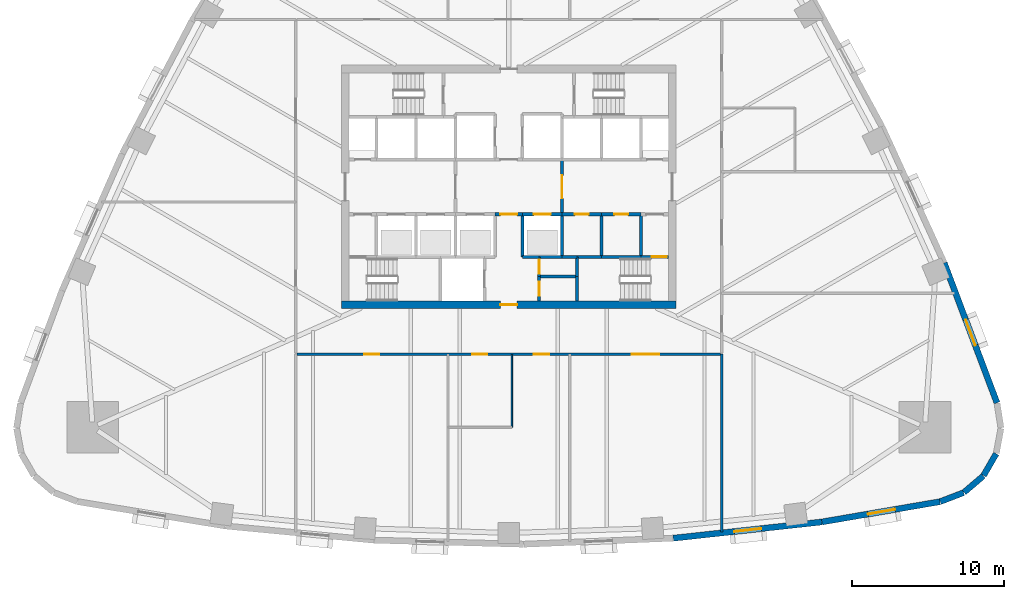
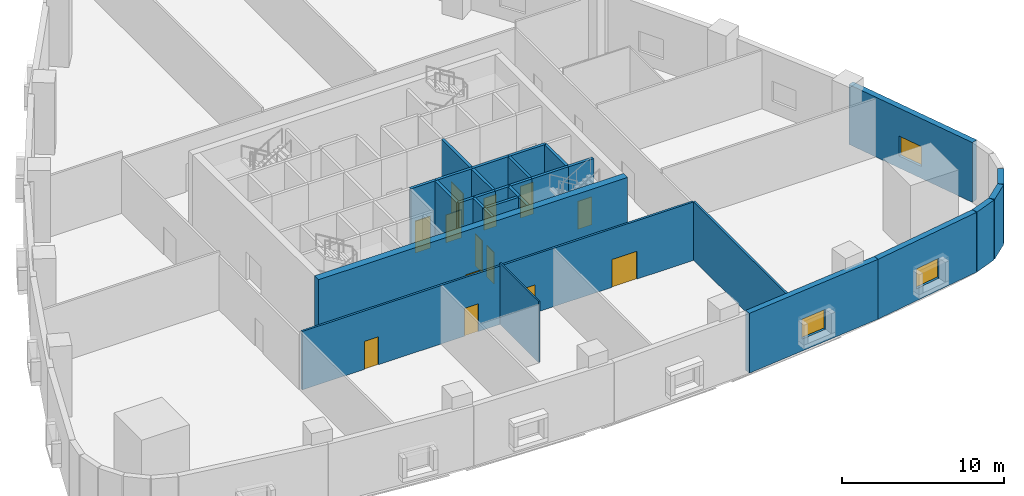
# One storey, part 4 of 11: 30 walls, 13 doors, 3 windows, 16 openings.
"""IFC4 building model written with IfcOpenShell, lengths in metres."""

from ifc_helpers import new_model, si_unit, direction, frame, frame_2d, origin, place, context, subcontext, project, spatial, rectangle, extrude, material, layer, layer_set, type_object, element, fill, save


model = new_model("IFC4")

# Units and contexts
model_context = context("Model", 3, precision=1e-05, world=origin(), true_north=direction((0.0, 1.0)))
body_context = subcontext(model_context, "Body", "Model", "MODEL_VIEW")
ifc_project = project(units=[si_unit("LENGTHUNIT", "METRE"), si_unit("AREAUNIT", "SQUARE_METRE"), si_unit("VOLUMEUNIT", "CUBIC_METRE"), si_unit("PLANEANGLEUNIT", "RADIAN"), si_unit("MASSUNIT", "GRAM", prefix="KILO")], contexts=[model_context])

# Site, building, storey
site_placement = place(None, origin())
site = spatial("IfcSite", under=ifc_project, at=site_placement, CompositionType="ELEMENT")
building_placement = place(site_placement, origin())
building = spatial("IfcBuilding", under=site, at=building_placement, Name="Sierra Prisma Convention Tower", CompositionType="ELEMENT")
storey_placement = place(building_placement, frame((0.0, 0.0, 28.800048828125)))
storey = spatial("IfcBuildingStorey", under=building, at=storey_placement, Name="L04", CompositionType="ELEMENT", Elevation=28.800048828125)

# Wall
ifc_material_1 = material(Name="Gypsum board partition", Category="gypsum")
ifc_layer_1 = layer(ifc_material_1, 0.10009765625)
ifc_layer_set_1 = layer_set([ifc_layer_1], Name="Bathroom partition 100")
wall_type_1 = type_object("IfcWallType", Name="Bathroom partition 100", PredefinedType="PARTITIONING", material=ifc_layer_set_1)
wall_1_placement = place(storey_placement, frame((0.199951171875, -11.030029296875, 0.0), z_axis=(0.0, 0.0, 1.0), x_axis=(0.0, -1.0, 0.0)))
element("IfcWall", 1, at=wall_1_placement, inside=storey, type_object=wall_type_1, Name="Partition L04 bath 1", PredefinedType="PARTITIONING", context=body_context, shape_type="SweptSolid", body=[
    extrude(rectangle(XDim=4.77001953125, YDim=0.10009765625, at=frame_2d((2.385009765625, 0.0))), origin(), (0.0, 0.0, 1.0), 4.599853515625),
])

# Wall, opening, door
ifc_material_2 = material(Name="Concrete C30/37", Category="concrete")
ifc_layer_2 = layer(ifc_material_2, 0.199951171875)
ifc_layer_set_2 = layer_set([ifc_layer_2], Name="Core wall RC 200 C30/37")
wall_type_2 = type_object("IfcWallType", Name="Core wall RC 200 C30/37", PredefinedType="SOLIDWALL", material=ifc_layer_set_2)
wall_2_placement = place(storey_placement, frame((-0.89990234375, -1.800048828125, 0.0), z_axis=(0.0, 0.0, 1.0), x_axis=(1.0, 0.0, 0.0)))
wall_2 = element("IfcWall", 2, at=wall_2_placement, inside=storey, type_object=wall_type_2, Name="Core wall L04 33", PredefinedType="SOLIDWALL", context=body_context, shape_type="SweptSolid", body=[
    extrude(rectangle(XDim=1.7998046875, YDim=0.199951171875, at=frame_2d((0.89990234375, 0.0))), origin(), (0.0, 0.0, 1.0), 5.0),
])
opening_1_placement = place(wall_2_placement, frame((0.35009765625, 0.0, 0.0)))
opening_1 = element("IfcOpeningElement", 3, at=opening_1_placement, cuts=wall_2, Name="Opening L04-D013", PredefinedType="OPENING", context=body_context, shape_type="SweptSolid", body=[
    extrude(rectangle(XDim=1.10009765625, YDim=2.39990234375, at=frame_2d((0.550048828125, 1.199951171875))), frame((0.0, 0.10009765625, 0.0), z_axis=(0.0, -1.0, 0.0), x_axis=(1.0, 0.0, 0.0)), (0.0, 0.0, 1.0), 0.199951171875),
])
ifc_material_3 = material(Name="Steel fire door leaf", Category="steel")
door_type_1 = type_object("IfcDoorType", Name="Door 1100x2400 FD30S", OperationType="SINGLE_SWING_LEFT", PredefinedType="DOOR", material=ifc_material_3)
door_1_placement = place(opening_1_placement, origin())
door_1 = element("IfcDoor", 4, at=door_1_placement, inside=storey, type_object=door_type_1, Name="Door L04 26", OperationType="SINGLE_SWING_RIGHT", OverallHeight=2.39990234375, OverallWidth=1.10009765625, PredefinedType="DOOR", context=body_context, shape_type="SweptSolid", body=[
    extrude(rectangle(XDim=1.10009765625, YDim=2.39990234375, at=frame_2d((0.550048828125, 1.199951171875))), frame((0.0, 0.02490234375, 0.0), z_axis=(0.0, -1.0, 0.0), x_axis=(1.0, 0.0, 0.0)), (0.0, 0.0, 1.0), 0.050048828125),
])
fill(opening_1, door_1)

wall_3_placement = place(storey_placement, frame((0.89990234375, -1.800048828125, 0.0), z_axis=(0.0, 0.0, 1.0), x_axis=(1.0, 0.0, 0.0)))
wall_3 = element("IfcWall", 5, at=wall_3_placement, inside=storey, type_object=wall_type_2, Name="Core wall L04 35", PredefinedType="SOLIDWALL", context=body_context, shape_type="SweptSolid", body=[
    extrude(rectangle(XDim=2.60009765625, YDim=0.199951171875, at=frame_2d((1.300048828125, 0.0))), origin(), (0.0, 0.0, 1.0), 5.0),
])
opening_2_placement = place(wall_3_placement, frame((0.75, 0.0, 0.0)))
opening_2 = element("IfcOpeningElement", 6, at=opening_2_placement, cuts=wall_3, Name="Opening L04-D004", PredefinedType="OPENING", context=body_context, shape_type="SweptSolid", body=[
    extrude(rectangle(XDim=1.10009765625, YDim=2.10009765625, at=frame_2d((0.550048828125, 1.050048828125))), frame((0.0, 0.10009765625, 0.0), z_axis=(0.0, -1.0, 0.0), x_axis=(1.0, 0.0, 0.0)), (0.0, 0.0, 1.0), 0.199951171875),
])
ifc_material_4 = material(Name="Steel fire door leaf", Category="steel")
door_type_2 = type_object("IfcDoorType", Name="Door 1100x2100 EI 90 sliding lift landing", OperationType="SLIDING_TO_LEFT", PredefinedType="DOOR", material=ifc_material_4)
door_2_placement = place(opening_2_placement, origin())
door_2 = element("IfcDoor", 7, at=door_2_placement, inside=storey, type_object=door_type_2, Name="Door L04 17", OperationType="SLIDING_TO_LEFT", OverallHeight=2.10009765625, OverallWidth=1.10009765625, PredefinedType="DOOR", context=body_context, shape_type="SweptSolid", body=[
    extrude(rectangle(XDim=1.10009765625, YDim=2.10009765625, at=frame_2d((0.550048828125, 1.050048828125))), frame((0.0, 0.02490234375, 0.0), z_axis=(0.0, -1.0, 0.0), x_axis=(1.0, 0.0, 0.0)), (0.0, 0.0, 1.0), 0.050048828125),
])
fill(opening_2, door_2)

# Walls
wall_4_placement = place(storey_placement, frame((0.89990234375, -1.800048828125, 0.0), z_axis=(0.0, 0.0, 1.0), x_axis=(0.0, -1.0, 0.0)))
element("IfcWall", 8, at=wall_4_placement, inside=storey, type_object=wall_type_2, Name="Core wall L04 36", PredefinedType="SOLIDWALL", context=body_context, shape_type="SweptSolid", body=[
    extrude(rectangle(XDim=2.800048828125, YDim=0.199951171875, at=frame_2d((1.39990234375, 0.0))), origin(), (0.0, 0.0, 1.0), 5.0),
])
wall_5_placement = place(storey_placement, frame((0.89990234375, -4.60009765625, 0.0), z_axis=(0.0, 0.0, 1.0), x_axis=(1.0, 0.0, 0.0)))
element("IfcWall", 9, at=wall_5_placement, inside=storey, type_object=wall_type_2, Name="Core wall L04 37", PredefinedType="SOLIDWALL", context=body_context, shape_type="SweptSolid", body=[
    extrude(rectangle(XDim=1.10009765625, YDim=0.199951171875, at=frame_2d((0.550048828125, 0.0))), origin(), (0.0, 0.0, 1.0), 5.0),
])

# Wall, opening, door
wall_6_placement = place(storey_placement, frame((2.0, -5.89990234375, 0.0), z_axis=(0.0, 0.0, 1.0), x_axis=(0.0, -1.0, 0.0)))
wall_6 = element("IfcWall", 10, at=wall_6_placement, inside=storey, type_object=wall_type_2, Name="Core wall L04 42", PredefinedType="SOLIDWALL", context=body_context, shape_type="SweptSolid", body=[
    extrude(rectangle(XDim=1.60009765625, YDim=0.199951171875, at=frame_2d((0.800048828125, 0.0))), origin(), (0.0, 0.0, 1.0), 5.0),
])
opening_3_placement = place(wall_6_placement, frame((0.35009765625, 0.0, 0.0)))
opening_3 = element("IfcOpeningElement", 11, at=opening_3_placement, cuts=wall_6, Name="Opening L04-D022", PredefinedType="OPENING", context=body_context, shape_type="SweptSolid", body=[
    extrude(rectangle(XDim=0.89990234375, YDim=2.39990234375, at=frame_2d((0.449951171875, 1.199951171875))), frame((0.0, 0.10009765625, 0.0), z_axis=(0.0, -1.0, 0.0), x_axis=(1.0, 0.0, 0.0)), (0.0, 0.0, 1.0), 0.199951171875),
])
ifc_material_5 = material(Name="Steel fire door leaf", Category="steel")
door_type_3 = type_object("IfcDoorType", Name="Door 900x2400 FD30S", OperationType="SINGLE_SWING_LEFT", PredefinedType="DOOR", material=ifc_material_5)
door_3_placement = place(opening_3_placement, origin())
door_3 = element("IfcDoor", 12, at=door_3_placement, inside=storey, type_object=door_type_3, Name="Door L04 35", OperationType="SINGLE_SWING_LEFT", OverallHeight=2.39990234375, OverallWidth=0.89990234375, PredefinedType="DOOR", context=body_context, shape_type="SweptSolid", body=[
    extrude(rectangle(XDim=0.89990234375, YDim=2.39990234375, at=frame_2d((0.449951171875, 1.199951171875))), frame((0.0, 0.02490234375, 0.0), z_axis=(0.0, -1.0, 0.0), x_axis=(1.0, 0.0, 0.0)), (0.0, 0.0, 1.0), 0.050048828125),
])
fill(opening_3, door_3)

# Wall
wall_7_placement = place(storey_placement, frame((4.5, -5.89990234375, 0.0), z_axis=(0.0, 0.0, 1.0), x_axis=(-1.0, 0.0, 0.0)))
element("IfcWall", 13, at=wall_7_placement, inside=storey, type_object=wall_type_2, Name="Core wall L04 43", PredefinedType="SOLIDWALL", context=body_context, shape_type="SweptSolid", body=[
    extrude(rectangle(XDim=2.5, YDim=0.199951171875, at=frame_2d((1.25, 0.0))), origin(), (0.0, 0.0, 1.0), 5.0),
])

# Wall, opening, door
wall_8_placement = place(storey_placement, frame((2.0, -4.60009765625, 0.0), z_axis=(0.0, 0.0, 1.0), x_axis=(0.0, -1.0, 0.0)))
wall_8 = element("IfcWall", 14, at=wall_8_placement, inside=storey, type_object=wall_type_2, Name="Core wall L04 44", PredefinedType="SOLIDWALL", context=body_context, shape_type="SweptSolid", body=[
    extrude(rectangle(XDim=1.2998046875, YDim=0.199951171875, at=frame_2d((0.64990234375, 0.0))), origin(), (0.0, 0.0, 1.0), 5.0),
])
opening_4_placement = place(wall_8_placement, frame((0.199951171875, 0.0, 0.0)))
opening_4 = element("IfcOpeningElement", 15, at=opening_4_placement, cuts=wall_8, Name="Opening L04-D023", PredefinedType="OPENING", context=body_context, shape_type="SweptSolid", body=[
    extrude(rectangle(XDim=0.89990234375, YDim=2.39990234375, at=frame_2d((0.449951171875, 1.199951171875))), frame((0.0, 0.10009765625, 0.0), z_axis=(0.0, -1.0, 0.0), x_axis=(1.0, 0.0, 0.0)), (0.0, 0.0, 1.0), 0.199951171875),
])
door_4_placement = place(opening_4_placement, origin())
door_4 = element("IfcDoor", 16, at=door_4_placement, inside=storey, type_object=door_type_3, Name="Door L04 36", OperationType="SINGLE_SWING_RIGHT", OverallHeight=2.39990234375, OverallWidth=0.89990234375, PredefinedType="DOOR", context=body_context, shape_type="SweptSolid", body=[
    extrude(rectangle(XDim=0.89990234375, YDim=2.39990234375, at=frame_2d((0.449951171875, 1.199951171875))), frame((0.0, 0.02490234375, 0.0), z_axis=(0.0, -1.0, 0.0), x_axis=(1.0, 0.0, 0.0)), (0.0, 0.0, 1.0), 0.050048828125),
])
fill(opening_4, door_4)

# Walls
wall_9_placement = place(storey_placement, frame((3.5, -4.60009765625, 0.0), z_axis=(0.0, 0.0, 1.0), x_axis=(-1.0, 0.0, 0.0)))
element("IfcWall", 17, at=wall_9_placement, inside=storey, type_object=wall_type_2, Name="Core wall L04 45", PredefinedType="SOLIDWALL", context=body_context, shape_type="SweptSolid", body=[
    extrude(rectangle(XDim=1.5, YDim=0.199951171875, at=frame_2d((0.75, 0.0))), origin(), (0.0, 0.0, 1.0), 5.0),
])
wall_10_placement = place(storey_placement, frame((3.5, -4.60009765625, 0.0), z_axis=(0.0, 0.0, 1.0), x_axis=(1.0, 0.0, 0.0)))
element("IfcWall", 18, at=wall_10_placement, inside=storey, type_object=wall_type_2, Name="Core wall L04 46", PredefinedType="SOLIDWALL", context=body_context, shape_type="SweptSolid", body=[
    extrude(rectangle(XDim=1.0, YDim=0.199951171875, at=frame_2d((0.5, 0.0))), origin(), (0.0, 0.0, 1.0), 5.0),
])
wall_11_placement = place(storey_placement, frame((3.5, -1.800048828125, 0.0), z_axis=(0.0, 0.0, 1.0), x_axis=(0.0, -1.0, 0.0)))
element("IfcWall", 19, at=wall_11_placement, inside=storey, type_object=wall_type_2, Name="Core wall L04 47", PredefinedType="SOLIDWALL", context=body_context, shape_type="SweptSolid", body=[
    extrude(rectangle(XDim=2.800048828125, YDim=0.199951171875, at=frame_2d((1.39990234375, 0.0))), origin(), (0.0, 0.0, 1.0), 5.0),
])

# Wall, opening, door
wall_12_placement = place(storey_placement, frame((6.10009765625, -1.800048828125, 0.0), z_axis=(0.0, 0.0, 1.0), x_axis=(-1.0, 0.0, 0.0)))
wall_12 = element("IfcWall", 20, at=wall_12_placement, inside=storey, type_object=wall_type_2, Name="Core wall L04 48", PredefinedType="SOLIDWALL", context=body_context, shape_type="SweptSolid", body=[
    extrude(rectangle(XDim=2.60009765625, YDim=0.199951171875, at=frame_2d((1.300048828125, 0.0))), origin(), (0.0, 0.0, 1.0), 5.0),
])
opening_5_placement = place(wall_12_placement, frame((0.85009765625, 0.0, 0.0)))
opening_5 = element("IfcOpeningElement", 21, at=opening_5_placement, cuts=wall_12, Name="Opening L04-D020", PredefinedType="OPENING", context=body_context, shape_type="SweptSolid", body=[
    extrude(rectangle(XDim=0.89990234375, YDim=2.39990234375, at=frame_2d((0.449951171875, 1.199951171875))), frame((0.0, 0.10009765625, 0.0), z_axis=(0.0, -1.0, 0.0), x_axis=(1.0, 0.0, 0.0)), (0.0, 0.0, 1.0), 0.199951171875),
])
door_5_placement = place(opening_5_placement, origin())
door_5 = element("IfcDoor", 22, at=door_5_placement, inside=storey, type_object=door_type_3, Name="Door L04 33", OperationType="SINGLE_SWING_RIGHT", OverallHeight=2.39990234375, OverallWidth=0.89990234375, PredefinedType="DOOR", context=body_context, shape_type="SweptSolid", body=[
    extrude(rectangle(XDim=0.89990234375, YDim=2.39990234375, at=frame_2d((0.449951171875, 1.199951171875))), frame((0.0, 0.02490234375, 0.0), z_axis=(0.0, -1.0, 0.0), x_axis=(1.0, 0.0, 0.0)), (0.0, 0.0, 1.0), 0.050048828125),
])
fill(opening_5, door_5)

wall_13_placement = place(storey_placement, frame((3.5, -1.800048828125, 0.0), z_axis=(0.0, 0.0, 1.0), x_axis=(0.0, 1.0, 0.0)))
wall_13 = element("IfcWall", 23, at=wall_13_placement, inside=storey, type_object=wall_type_2, Name="Core wall L04 49", PredefinedType="SOLIDWALL", context=body_context, shape_type="SweptSolid", body=[
    extrude(rectangle(XDim=3.60009765625, YDim=0.199951171875, at=frame_2d((1.800048828125, 0.0))), origin(), (0.0, 0.0, 1.0), 5.0),
])
opening_6_placement = place(wall_13_placement, frame((1.050048828125, 0.0, 0.0)))
opening_6 = element("IfcOpeningElement", 24, at=opening_6_placement, cuts=wall_13, Name="Opening L04-D009", PredefinedType="OPENING", context=body_context, shape_type="SweptSolid", body=[
    extrude(rectangle(XDim=1.5, YDim=2.39990234375, at=frame_2d((0.75, 1.199951171875))), frame((0.0, 0.10009765625, 0.0), z_axis=(0.0, -1.0, 0.0), x_axis=(1.0, 0.0, 0.0)), (0.0, 0.0, 1.0), 0.199951171875),
])
ifc_material_6 = material(Name="Steel fire door leaf", Category="steel")
door_type_4 = type_object("IfcDoorType", Name="Door 1500x2400 FD30S", OperationType="DOUBLE_DOOR_SINGLE_SWING", PredefinedType="DOOR", material=ifc_material_6)
door_6_placement = place(opening_6_placement, origin())
door_6 = element("IfcDoor", 25, at=door_6_placement, inside=storey, type_object=door_type_4, Name="Door L04 22", OperationType="DOUBLE_DOOR_SINGLE_SWING", OverallHeight=2.39990234375, OverallWidth=1.5, PredefinedType="DOOR", context=body_context, shape_type="SweptSolid", body=[
    extrude(rectangle(XDim=1.5, YDim=2.39990234375, at=frame_2d((0.75, 1.199951171875))), frame((0.0, 0.02490234375, 0.0), z_axis=(0.0, -1.0, 0.0), x_axis=(1.0, 0.0, 0.0)), (0.0, 0.0, 1.0), 0.050048828125),
])
fill(opening_6, door_6)

# Walls
wall_14_placement = place(storey_placement, frame((4.5, -7.5, 0.0), z_axis=(0.0, 0.0, 1.0), x_axis=(0.0, 1.0, 0.0)))
element("IfcWall", 26, at=wall_14_placement, inside=storey, type_object=wall_type_2, Name="Core wall L04 55", PredefinedType="SOLIDWALL", context=body_context, shape_type="SweptSolid", body=[
    extrude(rectangle(XDim=1.60009765625, YDim=0.199951171875, at=frame_2d((0.800048828125, 0.0))), origin(), (0.0, 0.0, 1.0), 5.0),
])
wall_15_placement = place(storey_placement, frame((4.5, -5.89990234375, 0.0), z_axis=(0.0, 0.0, 1.0), x_axis=(0.0, 1.0, 0.0)))
element("IfcWall", 27, at=wall_15_placement, inside=storey, type_object=wall_type_2, Name="Core wall L04 56", PredefinedType="SOLIDWALL", context=body_context, shape_type="SweptSolid", body=[
    extrude(rectangle(XDim=1.2998046875, YDim=0.199951171875, at=frame_2d((0.64990234375, 0.0))), origin(), (0.0, 0.0, 1.0), 5.0),
])
wall_16_placement = place(storey_placement, frame((4.5, -4.60009765625, 0.0), z_axis=(0.0, 0.0, 1.0), x_axis=(1.0, 0.0, 0.0)))
element("IfcWall", 28, at=wall_16_placement, inside=storey, type_object=wall_type_2, Name="Core wall L04 57", PredefinedType="SOLIDWALL", context=body_context, shape_type="SweptSolid", body=[
    extrude(rectangle(XDim=1.60009765625, YDim=0.199951171875, at=frame_2d((0.800048828125, 0.0))), origin(), (0.0, 0.0, 1.0), 5.0),
])
wall_17_placement = place(storey_placement, frame((6.10009765625, -4.60009765625, 0.0), z_axis=(0.0, 0.0, 1.0), x_axis=(1.0, 0.0, 0.0)))
element("IfcWall", 29, at=wall_17_placement, inside=storey, type_object=wall_type_2, Name="Core wall L04 58", PredefinedType="SOLIDWALL", context=body_context, shape_type="SweptSolid", body=[
    extrude(rectangle(XDim=2.599853515625, YDim=0.199951171875, at=frame_2d((1.2998046875, 0.0))), origin(), (0.0, 0.0, 1.0), 5.0),
])
wall_18_placement = place(storey_placement, frame((6.10009765625, -4.60009765625, 0.0), z_axis=(0.0, 0.0, 1.0), x_axis=(0.0, 1.0, 0.0)))
element("IfcWall", 30, at=wall_18_placement, inside=storey, type_object=wall_type_2, Name="Core wall L04 59", PredefinedType="SOLIDWALL", context=body_context, shape_type="SweptSolid", body=[
    extrude(rectangle(XDim=2.800048828125, YDim=0.199951171875, at=frame_2d((1.39990234375, 0.0))), origin(), (0.0, 0.0, 1.0), 5.0),
])

# Wall, opening, door
wall_19_placement = place(storey_placement, frame((8.699951171875, -1.800048828125, 0.0), z_axis=(0.0, 0.0, 1.0), x_axis=(-1.0, 0.0, 0.0)))
wall_19 = element("IfcWall", 31, at=wall_19_placement, inside=storey, type_object=wall_type_2, Name="Core wall L04 60", PredefinedType="SOLIDWALL", context=body_context, shape_type="SweptSolid", body=[
    extrude(rectangle(XDim=2.599853515625, YDim=0.199951171875, at=frame_2d((1.2998046875, 0.0))), origin(), (0.0, 0.0, 1.0), 5.0),
])
opening_7_placement = place(wall_19_placement, frame((0.85009765625, 0.0, 0.0)))
opening_7 = element("IfcOpeningElement", 32, at=opening_7_placement, cuts=wall_19, Name="Opening L04-D021", PredefinedType="OPENING", context=body_context, shape_type="SweptSolid", body=[
    extrude(rectangle(XDim=0.89990234375, YDim=2.39990234375, at=frame_2d((0.449951171875, 1.199951171875))), frame((0.0, 0.10009765625, 0.0), z_axis=(0.0, -1.0, 0.0), x_axis=(1.0, 0.0, 0.0)), (0.0, 0.0, 1.0), 0.199951171875),
])
door_7_placement = place(opening_7_placement, origin())
door_7 = element("IfcDoor", 33, at=door_7_placement, inside=storey, type_object=door_type_3, Name="Door L04 34", OperationType="SINGLE_SWING_LEFT", OverallHeight=2.39990234375, OverallWidth=0.89990234375, PredefinedType="DOOR", context=body_context, shape_type="SweptSolid", body=[
    extrude(rectangle(XDim=0.89990234375, YDim=2.39990234375, at=frame_2d((0.449951171875, 1.199951171875))), frame((0.0, 0.02490234375, 0.0), z_axis=(0.0, -1.0, 0.0), x_axis=(1.0, 0.0, 0.0)), (0.0, 0.0, 1.0), 0.050048828125),
])
fill(opening_7, door_7)

wall_20_placement = place(storey_placement, frame((8.699951171875, -4.60009765625, 0.0), z_axis=(0.0, 0.0, 1.0), x_axis=(1.0, 0.0, 0.0)))
wall_20 = element("IfcWall", 34, at=wall_20_placement, inside=storey, type_object=wall_type_2, Name="Core wall L04 64", PredefinedType="SOLIDWALL", context=body_context, shape_type="SweptSolid", body=[
    extrude(rectangle(XDim=1.800048828125, YDim=0.199951171875, at=frame_2d((0.89990234375, 0.0))), origin(), (0.0, 0.0, 1.0), 5.0),
])
opening_8_placement = place(wall_20_placement, frame((0.699951171875, 0.0, 0.0)))
opening_8 = element("IfcOpeningElement", 35, at=opening_8_placement, cuts=wall_20, Name="Opening L04-D017", PredefinedType="OPENING", context=body_context, shape_type="SweptSolid", body=[
    extrude(rectangle(XDim=1.0, YDim=2.10009765625, at=frame_2d((0.5, 1.050048828125))), frame((0.0, 0.10009765625, 0.0), z_axis=(0.0, -1.0, 0.0), x_axis=(1.0, 0.0, 0.0)), (0.0, 0.0, 1.0), 0.199951171875),
])
ifc_material_7 = material(Name="Steel fire door leaf", Category="steel")
door_type_5 = type_object("IfcDoorType", Name="Door 1000x2100 FD90S", OperationType="SINGLE_SWING_LEFT", PredefinedType="DOOR", material=ifc_material_7)
door_8_placement = place(opening_8_placement, origin())
door_8 = element("IfcDoor", 36, at=door_8_placement, inside=storey, type_object=door_type_5, Name="Door L04 30", OperationType="SINGLE_SWING_RIGHT", OverallHeight=2.10009765625, OverallWidth=1.0, PredefinedType="DOOR", context=body_context, shape_type="SweptSolid", body=[
    extrude(rectangle(XDim=1.0, YDim=2.10009765625, at=frame_2d((0.5, 1.050048828125))), frame((0.0, 0.02490234375, 0.0), z_axis=(0.0, -1.0, 0.0), x_axis=(1.0, 0.0, 0.0)), (0.0, 0.0, 1.0), 0.050048828125),
])
fill(opening_8, door_8)

# Wall
wall_21_placement = place(storey_placement, frame((8.699951171875, -4.60009765625, 0.0), z_axis=(0.0, 0.0, 1.0), x_axis=(0.0, 1.0, 0.0)))
element("IfcWall", 37, at=wall_21_placement, inside=storey, type_object=wall_type_2, Name="Core wall L04 65", PredefinedType="SOLIDWALL", context=body_context, shape_type="SweptSolid", body=[
    extrude(rectangle(XDim=2.800048828125, YDim=0.199951171875, at=frame_2d((1.39990234375, 0.0))), origin(), (0.0, 0.0, 1.0), 5.0),
])

# Wall, opening, door
ifc_material_8 = material(Name="Concrete C70/85", Category="concrete")
ifc_layer_3 = layer(ifc_material_8, 0.5)
ifc_layer_set_3 = layer_set([ifc_layer_3], Name="Core wall RC 500 C70/85")
wall_type_3 = type_object("IfcWallType", Name="Core wall RC 500 C70/85", PredefinedType="SHEAR", material=ifc_layer_set_3)
wall_22_placement = place(storey_placement, frame((-11.0, -7.75, 0.0), z_axis=(0.0, 0.0, 1.0), x_axis=(1.0, 0.0, 0.0)))
wall_22 = element("IfcWall", 38, at=wall_22_placement, inside=storey, type_object=wall_type_3, Name="Core wall S L04", PredefinedType="SHEAR", context=body_context, shape_type="SweptSolid", body=[
    extrude(rectangle(XDim=22.0, YDim=0.5, at=frame_2d((11.0, 0.0))), origin(), (0.0, 0.0, 1.0), 5.39990234375),
])
opening_9_placement = place(wall_22_placement, frame((10.449951171875, 0.0, 0.0)))
opening_9 = element("IfcOpeningElement", 39, at=opening_9_placement, cuts=wall_22, Name="Opening L04-D039", PredefinedType="OPENING", context=body_context, shape_type="SweptSolid", body=[
    extrude(rectangle(XDim=1.10009765625, YDim=2.10009765625, at=frame_2d((0.550048828125, 1.050048828125))), frame((0.0, 0.25, 0.0), z_axis=(0.0, -1.0, 0.0), x_axis=(1.0, 0.0, 0.0)), (0.0, 0.0, 1.0), 0.5),
])
ifc_material_9 = material(Name="Steel fire door leaf", Category="steel")
door_type_6 = type_object("IfcDoorType", Name="Door 1100x2100 FD30S", OperationType="SINGLE_SWING_LEFT", PredefinedType="DOOR", material=ifc_material_9)
door_9_placement = place(opening_9_placement, origin())
door_9 = element("IfcDoor", 40, at=door_9_placement, inside=storey, type_object=door_type_6, Name="Door L04 40", OperationType="SINGLE_SWING_LEFT", OverallHeight=2.10009765625, OverallWidth=1.10009765625, PredefinedType="DOOR", context=body_context, shape_type="SweptSolid", body=[
    extrude(rectangle(XDim=1.10009765625, YDim=2.10009765625, at=frame_2d((0.550048828125, 1.050048828125))), frame((0.0, 0.02490234375, 0.0), z_axis=(0.0, -1.0, 0.0), x_axis=(1.0, 0.0, 0.0)), (0.0, 0.0, 1.0), 0.050048828125),
])
fill(opening_9, door_9)

# Wall, openings, doors
ifc_material_10 = material(Name="Gypsum board partition", Category="gypsum")
ifc_layer_4 = layer(ifc_material_10, 0.14990234375)
ifc_layer_set_4 = layer_set([ifc_layer_4], Name="Corridor wall 150 gypsum EI 60")
wall_type_4 = type_object("IfcWallType", Name="Corridor wall 150 gypsum EI 60", PredefinedType="PARTITIONING", material=ifc_layer_set_4)
wall_23_placement = place(storey_placement, frame((-13.919921875, -11.0, 0.0), z_axis=(0.0, 0.0, 1.0), x_axis=(1.0, 0.0, 0.0)))
wall_23 = element("IfcWall", 41, at=wall_23_placement, inside=storey, type_object=wall_type_4, Name="Partition L04 corr 2", PredefinedType="PARTITIONING", context=body_context, shape_type="SweptSolid", body=[
    extrude(rectangle(XDim=27.83984375, YDim=0.14990234375, at=frame_2d((13.919921875, 0.0))), origin(), (0.0, 0.0, 1.0), 4.39697265625),
])
opening_10_placement = place(wall_23_placement, frame((4.419921875, 0.0, 0.0)))
opening_10 = element("IfcOpeningElement", 42, at=opening_10_placement, cuts=wall_23, Name="Opening L04-D031", PredefinedType="OPENING", context=body_context, shape_type="SweptSolid", body=[
    extrude(rectangle(XDim=1.0, YDim=2.10009765625, at=frame_2d((0.5, 1.050048828125))), frame((0.0, 0.074951171875, 0.0), z_axis=(0.0, -1.0, 0.0), x_axis=(1.0, 0.0, 0.0)), (0.0, 0.0, 1.0), 0.14990234375),
])
opening_11_placement = place(wall_23_placement, frame((11.52001953125, 0.0, 0.0)))
opening_11 = element("IfcOpeningElement", 43, at=opening_11_placement, cuts=wall_23, Name="Opening L04-D032", PredefinedType="OPENING", context=body_context, shape_type="SweptSolid", body=[
    extrude(rectangle(XDim=1.0, YDim=2.10009765625, at=frame_2d((0.5, 1.050048828125))), frame((0.0, 0.074951171875, 0.0), z_axis=(0.0, -1.0, 0.0), x_axis=(1.0, 0.0, 0.0)), (0.0, 0.0, 1.0), 0.14990234375),
])
opening_12_placement = place(wall_23_placement, frame((15.570068359375, 0.0, 0.0)))
opening_12 = element("IfcOpeningElement", 44, at=opening_12_placement, cuts=wall_23, Name="Opening L04-D033", PredefinedType="OPENING", context=body_context, shape_type="SweptSolid", body=[
    extrude(rectangle(XDim=1.0, YDim=2.10009765625, at=frame_2d((0.5, 1.050048828125))), frame((0.0, 0.074951171875, 0.0), z_axis=(0.0, -1.0, 0.0), x_axis=(1.0, 0.0, 0.0)), (0.0, 0.0, 1.0), 0.14990234375),
])
opening_13_placement = place(wall_23_placement, frame((22.02001953125, 0.0, 0.0)))
opening_13 = element("IfcOpeningElement", 45, at=opening_13_placement, cuts=wall_23, Name="Opening L04-D034", PredefinedType="OPENING", context=body_context, shape_type="SweptSolid", body=[
    extrude(rectangle(XDim=1.800048828125, YDim=2.10009765625, at=frame_2d((0.89990234375, 1.050048828125))), frame((0.0, 0.074951171875, 0.0), z_axis=(0.0, -1.0, 0.0), x_axis=(1.0, 0.0, 0.0)), (0.0, 0.0, 1.0), 0.14990234375),
])
ifc_material_11 = material(Name="Steel fire door leaf", Category="steel")
door_type_7 = type_object("IfcDoorType", Name="Door 1000x2100 FD30S", OperationType="SINGLE_SWING_LEFT", PredefinedType="DOOR", material=ifc_material_11)
door_10_placement = place(opening_10_placement, origin())
door_10 = element("IfcDoor", 46, at=door_10_placement, inside=storey, type_object=door_type_7, Name="Door L04 8", OperationType="SINGLE_SWING_RIGHT", OverallHeight=2.10009765625, OverallWidth=1.0, PredefinedType="DOOR", context=body_context, shape_type="SweptSolid", body=[
    extrude(rectangle(XDim=1.0, YDim=2.10009765625, at=frame_2d((0.5, 1.050048828125))), frame((0.0, 0.02490234375, 0.0), z_axis=(0.0, -1.0, 0.0), x_axis=(1.0, 0.0, 0.0)), (0.0, 0.0, 1.0), 0.050048828125),
])
fill(opening_10, door_10)
door_11_placement = place(opening_11_placement, origin())
door_11 = element("IfcDoor", 47, at=door_11_placement, inside=storey, type_object=door_type_7, Name="Door L04 9", OperationType="SINGLE_SWING_RIGHT", OverallHeight=2.10009765625, OverallWidth=1.0, PredefinedType="DOOR", context=body_context, shape_type="SweptSolid", body=[
    extrude(rectangle(XDim=1.0, YDim=2.10009765625, at=frame_2d((0.5, 1.050048828125))), frame((0.0, 0.02490234375, 0.0), z_axis=(0.0, -1.0, 0.0), x_axis=(1.0, 0.0, 0.0)), (0.0, 0.0, 1.0), 0.050048828125),
])
fill(opening_11, door_11)
door_12_placement = place(opening_12_placement, origin())
door_12 = element("IfcDoor", 48, at=door_12_placement, inside=storey, type_object=door_type_7, Name="Door L04 10", OperationType="SINGLE_SWING_LEFT", OverallHeight=2.10009765625, OverallWidth=1.0, PredefinedType="DOOR", context=body_context, shape_type="SweptSolid", body=[
    extrude(rectangle(XDim=1.0, YDim=2.10009765625, at=frame_2d((0.5, 1.050048828125))), frame((0.0, 0.02490234375, 0.0), z_axis=(0.0, -1.0, 0.0), x_axis=(1.0, 0.0, 0.0)), (0.0, 0.0, 1.0), 0.050048828125),
])
fill(opening_12, door_12)
ifc_material_12 = material(Name="Steel fire door leaf", Category="steel")
door_type_8 = type_object("IfcDoorType", Name="Door 1800x2100 FD30S", OperationType="DOUBLE_DOOR_SINGLE_SWING", PredefinedType="DOOR", material=ifc_material_12)
door_13_placement = place(opening_13_placement, origin())
door_13 = element("IfcDoor", 49, at=door_13_placement, inside=storey, type_object=door_type_8, Name="Door L04 11", OperationType="DOUBLE_DOOR_SINGLE_SWING", OverallHeight=2.10009765625, OverallWidth=1.800048828125, PredefinedType="DOOR", context=body_context, shape_type="SweptSolid", body=[
    extrude(rectangle(XDim=1.800048828125, YDim=2.10009765625, at=frame_2d((0.89990234375, 1.050048828125))), frame((0.0, 0.02490234375, 0.0), z_axis=(0.0, -1.0, 0.0), x_axis=(1.0, 0.0, 0.0)), (0.0, 0.0, 1.0), 0.050048828125),
])
fill(opening_13, door_13)

# Walls
ifc_material_13 = material(Name="Gypsum board partition", Category="gypsum")
ifc_layer_5 = layer(ifc_material_13, 0.14990234375)
ifc_layer_set_5 = layer_set([ifc_layer_5], Name="Party wall 150 gypsum")
wall_type_5 = type_object("IfcWallType", Name="Party wall 150 gypsum", PredefinedType="PARTITIONING", material=ifc_layer_set_5)
wall_24_placement = place(storey_placement, frame((14.0, -11.0, 0.0), z_axis=(0.0, 0.0, 1.0), x_axis=(0.0, -1.0, 0.0)))
element("IfcWall", 50, at=wall_24_placement, inside=storey, type_object=wall_type_5, Name="Partition L04 party 8", PredefinedType="PARTITIONING", context=body_context, shape_type="SweptSolid", body=[
    extrude(rectangle(XDim=11.697021484375, YDim=0.14990234375, at=frame_2d((5.8486328125, 0.0))), origin(), (0.0, 0.0, 1.0), 4.384033203125),
])
ifc_material_14 = material(Name="Concrete C40/50, terracotta plaster finish", Category="masonry")
ifc_layer_6 = layer(ifc_material_14, 0.39990234375)
ifc_layer_set_6 = layer_set([ifc_layer_6], Name="Podium plastered wall 400")
wall_type_6 = type_object("IfcWallType", Name="Podium plastered wall 400", PredefinedType="STANDARD", material=ifc_layer_set_6)
for number, where, z_axis, x_axis, name in (
    (51, (31.189697265625, -19.00341796875, 0.0), (0.0, 0.0, 1.0), (-0.760211621525, -0.649675527089, 0.0), "Podium wall L04 1"),
    (52, (32.04052734375, -17.541015625, 0.0), (0.0, 0.0, 1.0), (-0.499985761608, -0.866033624168, 0.0), "Podium wall L04 2"),
):
    element("IfcWall", number, at=place(storey_placement, frame(where, z_axis=z_axis, x_axis=x_axis)), inside=storey, type_object=wall_type_6, Name=name, PredefinedType="STANDARD", context=body_context, shape_type="SweptSolid", body=[
        extrude(rectangle(XDim=1.65869140625, YDim=0.39990234375, at=frame_2d((0.829345703125, 0.0))), origin(), (0.0, 0.0, 1.0), 4.5),
    ])

# Wall, opening, window
wall_25_placement = place(storey_placement, frame((28.62548828125, -4.992919921875, 0.0), z_axis=(0.0, 0.0, 1.0), x_axis=(0.352569865932, -0.935785493389, 0.0)))
wall_25 = element("IfcWall", 53, at=wall_25_placement, inside=storey, type_object=wall_type_6, Name="Podium wall L04 5", PredefinedType="STANDARD", context=body_context, shape_type="SweptSolid", body=[
    extrude(rectangle(XDim=9.837890625, YDim=0.39990234375, at=frame_2d((4.9189453125, 0.0))), origin(), (0.0, 0.0, 1.0), 4.5),
])
opening_14_placement = place(wall_25_placement, frame((4.0, 0.0, 0.89990234375)))
opening_14 = element("IfcOpeningElement", 54, at=opening_14_placement, cuts=wall_25, Name="Opening L04-W01", PredefinedType="OPENING", context=body_context, shape_type="SweptSolid", body=[
    extrude(rectangle(XDim=1.800048828125, YDim=1.5, at=frame_2d((0.89990234375, 0.75))), frame((0.0, 0.199951171875, 0.0), z_axis=(0.0, -1.0, 0.0), x_axis=(1.0, 0.0, 0.0)), (0.0, 0.0, 1.0), 0.39990234375),
])
ifc_material_15 = material(Name="Tinted glass, bronze aluminium frame", Category="aluminium")
window_type = type_object("IfcWindowType", Name="Podium meeting window 1800 x 1500", PartitioningType="DOUBLE_PANEL_VERTICAL", PredefinedType="WINDOW", material=ifc_material_15)
window_1_placement = place(opening_14_placement, origin())
window_1 = element("IfcWindow", 55, at=window_1_placement, inside=storey, type_object=window_type, Name="Meeting window", OverallHeight=1.5, OverallWidth=1.800048828125, PartitioningType="SINGLE_PANEL", PredefinedType="WINDOW", context=body_context, shape_type="SweptSolid", body=[
    extrude(rectangle(XDim=1.800048828125, YDim=1.5, at=frame_2d((0.89990234375, 0.75))), frame((0.0, 0.030029296875, 0.0), z_axis=(0.0, -1.0, 0.0), x_axis=(1.0, 0.0, 0.0)), (0.0, 0.0, 1.0), 0.06005859375),
])
fill(opening_14, window_1)

wall_26_placement = place(storey_placement, frame((20.57861328125, -22.028076171875, 0.0), z_axis=(0.0, 0.0, 1.0), x_axis=(-0.994084776508, -0.108606892574, 0.0)))
wall_26 = element("IfcWall", 56, at=wall_26_placement, inside=storey, type_object=wall_type_6, Name="Podium wall L04 31", PredefinedType="STANDARD", context=body_context, shape_type="SweptSolid", body=[
    extrude(rectangle(XDim=9.82568359375, YDim=0.39990234375, at=frame_2d((4.912841796875, 0.0))), origin(), (0.0, 0.0, 1.0), 4.5),
])
opening_15_placement = place(wall_26_placement, frame((4.0, 0.0, 0.89990234375)))
opening_15 = element("IfcOpeningElement", 57, at=opening_15_placement, cuts=wall_26, Name="Opening L04-W17", PredefinedType="OPENING", context=body_context, shape_type="SweptSolid", body=[
    extrude(rectangle(XDim=1.800048828125, YDim=1.5, at=frame_2d((0.89990234375, 0.75))), frame((0.0, 0.199951171875, 0.0), z_axis=(0.0, -1.0, 0.0), x_axis=(1.0, 0.0, 0.0)), (0.0, 0.0, 1.0), 0.39990234375),
])
window_2_placement = place(opening_15_placement, origin())
window_2 = element("IfcWindow", 58, at=window_2_placement, inside=storey, type_object=window_type, Name="Meeting window", OverallHeight=1.5, OverallWidth=1.800048828125, PartitioningType="SINGLE_PANEL", PredefinedType="WINDOW", context=body_context, shape_type="SweptSolid", body=[
    extrude(rectangle(XDim=1.800048828125, YDim=1.5, at=frame_2d((0.89990234375, 0.75))), frame((0.0, 0.030029296875, 0.0), z_axis=(0.0, -1.0, 0.0), x_axis=(1.0, 0.0, 0.0)), (0.0, 0.0, 1.0), 0.06005859375),
])
fill(opening_15, window_2)

wall_27_placement = place(storey_placement, frame((28.34423828125, -20.694580078125, 0.0), z_axis=(0.0, 0.0, 1.0), x_axis=(-0.985573227811, -0.169249557228, 0.0)))
wall_27 = element("IfcWall", 59, at=wall_27_placement, inside=storey, type_object=wall_type_6, Name="Podium wall L04 32", PredefinedType="STANDARD", context=body_context, shape_type="SweptSolid", body=[
    extrude(rectangle(XDim=7.873046875, YDim=0.39990234375, at=frame_2d((3.9365234375, 0.0))), origin(), (0.0, 0.0, 1.0), 4.5),
])
opening_16_placement = place(wall_27_placement, frame((3.0, 0.0, 0.89990234375)))
opening_16 = element("IfcOpeningElement", 60, at=opening_16_placement, cuts=wall_27, Name="Opening L04-W18", PredefinedType="OPENING", context=body_context, shape_type="SweptSolid", body=[
    extrude(rectangle(XDim=1.800048828125, YDim=1.5, at=frame_2d((0.89990234375, 0.75))), frame((0.0, 0.199951171875, 0.0), z_axis=(0.0, -1.0, 0.0), x_axis=(1.0, 0.0, 0.0)), (0.0, 0.0, 1.0), 0.39990234375),
])
window_3_placement = place(opening_16_placement, origin())
window_3 = element("IfcWindow", 61, at=window_3_placement, inside=storey, type_object=window_type, Name="Meeting window", OverallHeight=1.5, OverallWidth=1.800048828125, PartitioningType="SINGLE_PANEL", PredefinedType="WINDOW", context=body_context, shape_type="SweptSolid", body=[
    extrude(rectangle(XDim=1.800048828125, YDim=1.5, at=frame_2d((0.89990234375, 0.75))), frame((0.0, 0.030029296875, 0.0), z_axis=(0.0, -1.0, 0.0), x_axis=(1.0, 0.0, 0.0)), (0.0, 0.0, 1.0), 0.06005859375),
])
fill(opening_16, window_3)

# Wall
wall_28_placement = place(storey_placement, frame((29.899658203125, -20.098388671875, 0.0), z_axis=(0.0, 0.0, 1.0), x_axis=(-0.933315023429, -0.359058584415, 0.0)))
element("IfcWall", 62, at=wall_28_placement, inside=storey, type_object=wall_type_6, Name="Podium wall L04 33", PredefinedType="STANDARD", context=body_context, shape_type="SweptSolid", body=[
    extrude(rectangle(XDim=1.646240234375, YDim=0.39990234375, at=frame_2d((0.8232421875, 0.0))), origin(), (0.0, 0.0, 1.0), 4.5),
])

save(model, "model.ifc")
